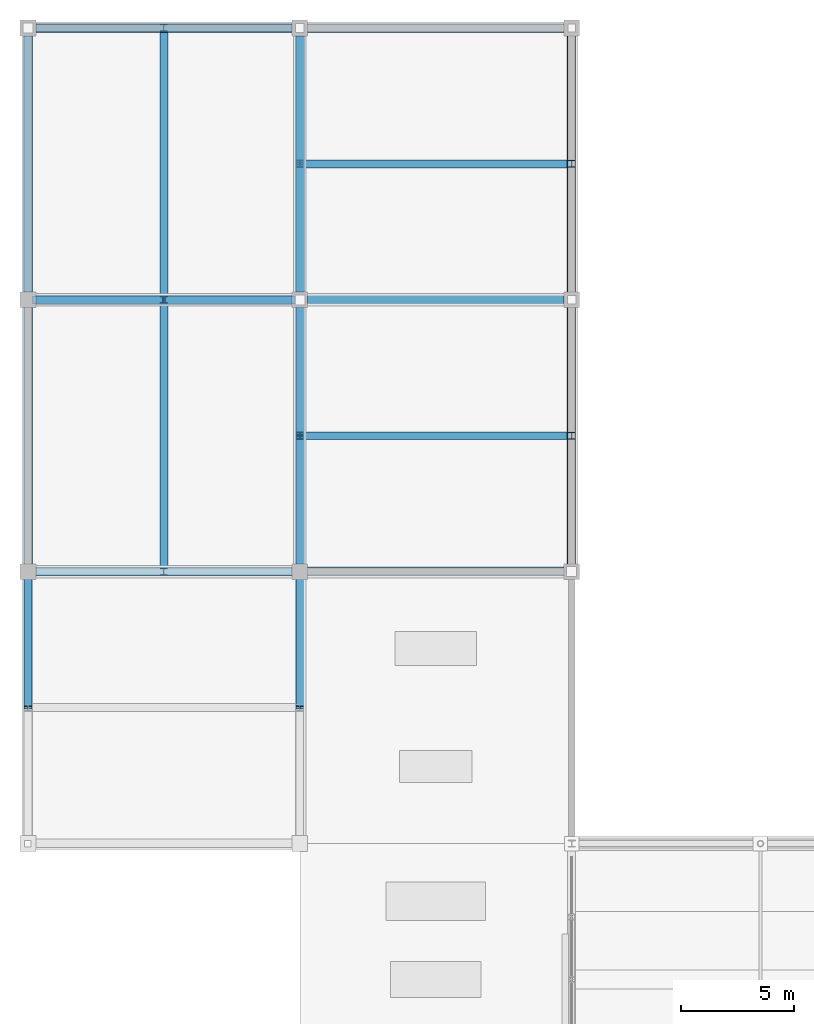
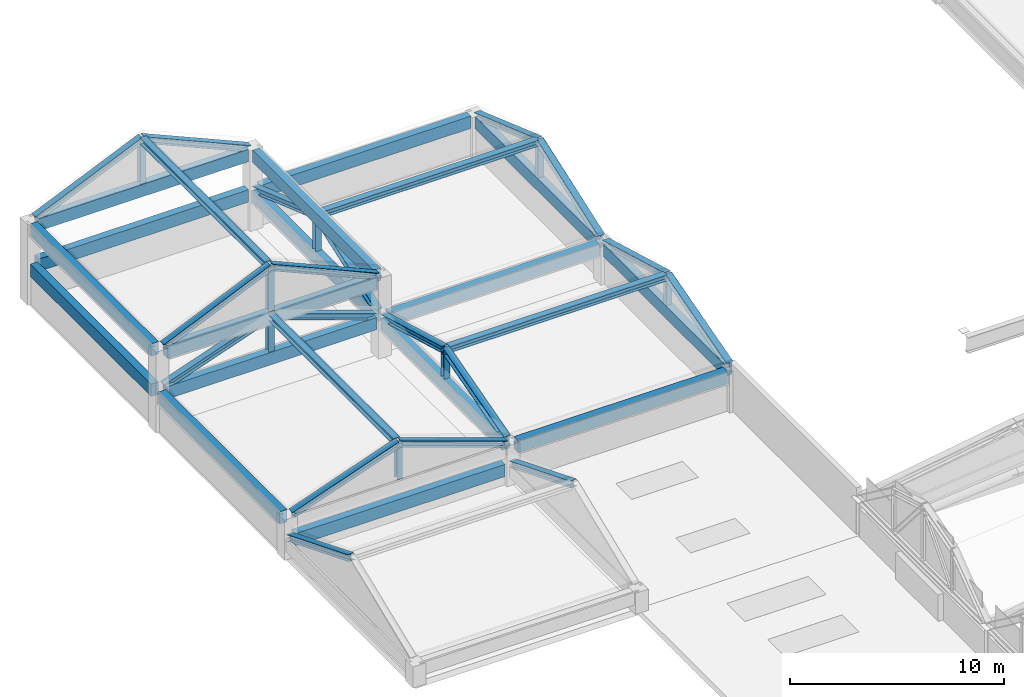
# One storey, part 77 of 117: 30 members, 16 beams.
"""IFC4 building model written with IfcOpenShell, lengths in metres."""

import ifcopenshell
import ifcopenshell.guid

model = None  # the IFC model being written
_history = None  # IfcOwnerHistory: only IFC2X3 demands one
_inside = {}  # id of a spatial element -> (the spatial element, [elements in it])
_under = {}  # id of a project, library or spatial element -> (it, [spatial elements below it])
_declared = {}  # id of a project -> (the project, [libraries it declares])
_typed = {}  # id of a type object -> (the type object, [elements of that type])
_made_of = {}  # id of a material, layer set ... -> (it, [elements and type objects made of it])


def new_model(schema):
    """Start an empty IFC model of exactly this schema.

    Asked for "IFC4X3", IfcOpenShell would pick the latest addendum, in which some entities
    have other attributes; the version numbers below select the first issue.
    IFC2X3 requires an IfcOwnerHistory on every rooted entity: one is made here for all.
    """
    global model, _history
    if schema == "IFC4X3":
        model = ifcopenshell.file(schema_version=(4, 3, 0, 0))
    else:
        model = ifcopenshell.file(schema=schema)
    _inside.clear()
    _under.clear()
    _declared.clear()
    _typed.clear()
    _made_of.clear()
    _history = None
    if model.schema == "IFC2X3":
        org = make("IfcOrganization", Name="unknown")
        user = make(
            "IfcPersonAndOrganization",
            ThePerson=make("IfcPerson", FamilyName="unknown"),
            TheOrganization=org,
        )
        app = make(
            "IfcApplication",
            ApplicationDeveloper=org,
            Version="unknown",
            ApplicationFullName="unknown",
            ApplicationIdentifier="unknown",
        )
        _history = make(
            "IfcOwnerHistory",
            OwningUser=user,
            OwningApplication=app,
            ChangeAction="ADDED",
            CreationDate=0,
        )
    return model


def make(cls, **values):
    """One entity of the class cls with the attributes given. An attribute that is None is left unset."""
    return model.create_entity(
        cls, **{name: value for name, value in values.items() if value is not None}
    )


def rooted(cls, **values):
    """An entity with a GlobalId (a new one), such as an element, a storey or a relation."""
    return make(cls, GlobalId=ifcopenshell.guid.new(), OwnerHistory=_history, **values)


def si_unit(unit_type, name, prefix=None):
    """IfcSIUnit, for example si_unit("LENGTHUNIT", "METRE", prefix="MILLI")."""
    return make("IfcSIUnit", UnitType=unit_type, Prefix=prefix, Name=name)


def assignment(units):
    """IfcUnitAssignment: the units of a project."""
    return None if units is None else make("IfcUnitAssignment", Units=units)


def point(xyz):
    """IfcCartesianPoint."""
    return None if xyz is None else make("IfcCartesianPoint", Coordinates=xyz)


def direction(xyz):
    """IfcDirection."""
    return None if xyz is None else make("IfcDirection", DirectionRatios=xyz)


def frame(location, z_axis=None, x_axis=None):
    """IfcAxis2Placement3D, a coordinate frame: its origin and axes. An axis left out is left unset."""
    return make(
        "IfcAxis2Placement3D",
        Location=point(location),
        Axis=direction(z_axis),
        RefDirection=direction(x_axis),
    )


def frame_2d(location, x_axis=None):
    """IfcAxis2Placement2D, a coordinate frame in the plane: its origin and x axis."""
    return make(
        "IfcAxis2Placement2D", Location=point(location), RefDirection=direction(x_axis)
    )


def origin():
    """The frame at (0, 0, 0) with its axes left unset."""
    return frame((0.0, 0.0, 0.0))


def origin_2d():
    """The frame at (0, 0) in the plane with its x axis left unset."""
    return frame_2d((0.0, 0.0))


def place(relative_to, where):
    """IfcLocalPlacement: puts the frame where relative to a parent placement (None: the world)."""
    return make(
        "IfcLocalPlacement", PlacementRelTo=relative_to, RelativePlacement=where
    )


def context(
    kind, dimensions, precision=None, world=None, true_north=None, identifier=None
):
    """IfcGeometricRepresentationContext, for example the 3D "Model" context."""
    return make(
        "IfcGeometricRepresentationContext",
        ContextIdentifier=identifier,
        ContextType=kind,
        CoordinateSpaceDimension=dimensions,
        Precision=precision,
        WorldCoordinateSystem=world,
        TrueNorth=true_north,
    )


def subcontext(parent, identifier, kind, view, scale=None):
    """IfcGeometricRepresentationSubContext, for example "Body" below "Model"."""
    return make(
        "IfcGeometricRepresentationSubContext",
        ContextIdentifier=identifier,
        ContextType=kind,
        ParentContext=parent,
        TargetScale=scale,
        TargetView=view,
    )


def project(units=None, contexts=None):
    """IfcProject with its units and contexts."""
    return rooted(
        "IfcProject",
        Name="project",
        RepresentationContexts=contexts,
        UnitsInContext=assignment(units),
    )


def spatial(cls, under=None, at=None, **own):
    """A site, building, storey or space (cls), placed at a placement, below another one or the project."""
    s = rooted(cls, ObjectPlacement=at, **own)
    if under is not None:
        _under.setdefault(under.id(), (under, []))[1].append(s)
    return s


def profile(cls, at=None, kind="AREA", **sizes):
    """A parametric profile (cls). Its sizes go by their IFC names, for example OverallWidth=200.0."""
    return make(cls, ProfileType=kind, Position=at, **sizes)


def rectangle(**sizes):
    """IfcRectangleProfileDef."""
    return profile("IfcRectangleProfileDef", **sizes)


def i_section(**sizes):
    """IfcIShapeProfileDef."""
    return profile("IfcIShapeProfileDef", **sizes)


def extrude(swept, where, along, depth):
    """IfcExtrudedAreaSolid: the profile swept, set in the frame where, extruded along a direction by depth."""
    return make(
        "IfcExtrudedAreaSolid",
        SweptArea=swept,
        Position=where,
        ExtrudedDirection=direction(along),
        Depth=depth,
    )


def shape(context_of_items, identifier, shape_type, items):
    """IfcShapeRepresentation: the items that make up one representation, for example the "Body"."""
    return make(
        "IfcShapeRepresentation",
        ContextOfItems=context_of_items,
        RepresentationIdentifier=identifier,
        RepresentationType=shape_type,
        Items=items,
    )


def material(Name=None, Category=None):
    """IfcMaterial."""
    return make("IfcMaterial", Name=Name, Category=Category)


def material_profile(
    of_material, cross_section, Name=None, Category=None, Priority=None
):
    """IfcMaterialProfile: a cross section and its material."""
    return make(
        "IfcMaterialProfile",
        Name=Name,
        Material=of_material,
        Profile=cross_section,
        Priority=Priority,
        Category=Category,
    )


def profile_set(profiles, Name=None, composite=None):
    """IfcMaterialProfileSet."""
    return make(
        "IfcMaterialProfileSet",
        Name=Name,
        MaterialProfiles=profiles,
        CompositeProfile=composite,
    )


def made_of(thing, what):
    """Note that an element or type object is made of a material, layer set ...; save() writes the relation."""
    if what is not None:
        _made_of.setdefault(what.id(), (what, []))[1].append(thing)
    return thing


def type_object(cls, material=None, **own):
    """A type object (cls), such as IfcWallType, which elements share."""
    return made_of(rooted(cls, **own), material)


def element(
    cls,
    number,
    at=None,
    inside=None,
    cuts=None,
    type_object=None,
    material=None,
    context=None,
    identifier="Body",
    shape_type=None,
    held_by="IfcProductDefinitionShape",
    body=None,
    shapes=None,
    **own,
):
    """One element of the class cls, such as IfcWall. Its Tag is "e" and its number.

    at: its placement. inside: the storey or other place that contains it. cuts: it is an
    opening in that element (IfcRelVoidsElement). A single representation is given by context,
    identifier, shape_type and body (its items); several are given by shapes. held_by: the class
    of the entity that holds the representations. save() writes the other relations.
    """
    e = rooted(cls, Tag="e%d" % number, ObjectPlacement=at, **own)
    if body is not None:
        shapes = [shape(context, identifier, shape_type, body)]
    if shapes is not None:
        e.Representation = make(held_by, Representations=shapes)
    if inside is not None:
        _inside.setdefault(inside.id(), (inside, []))[1].append(e)
    if cuts is not None:
        rooted(
            "IfcRelVoidsElement", RelatingBuildingElement=cuts, RelatedOpeningElement=e
        )
    if type_object is not None:
        _typed.setdefault(type_object.id(), (type_object, []))[1].append(e)
    return made_of(e, material)


def aggregate(whole, parts):
    """IfcRelAggregates: a whole, such as a stair, and the parts it consists of."""
    return rooted("IfcRelAggregates", RelatingObject=whole, RelatedObjects=parts)


def save(model, path):
    """Write the relations noted so far, then the file.

    IfcRelAggregates (storeys below a building ...), IfcRelContainedInSpatialStructure (elements
    in a storey), IfcRelDefinesByType, IfcRelAssociatesMaterial and IfcRelDeclares: one each for
    every whole, place, type object, material and project.
    """
    for whole, parts in _under.values():
        aggregate(whole, parts)
    for where, things in _inside.values():
        rooted(
            "IfcRelContainedInSpatialStructure",
            RelatedElements=things,
            RelatingStructure=where,
        )
    for kind, things in _typed.values():
        rooted("IfcRelDefinesByType", RelatedObjects=things, RelatingType=kind)
    for what, things in _made_of.values():
        rooted("IfcRelAssociatesMaterial", RelatedObjects=things, RelatingMaterial=what)
    for by, libraries in _declared.values():
        rooted("IfcRelDeclares", RelatingContext=by, RelatedDefinitions=libraries)
    model.write(path)


model = new_model("IFC4")

# Units and contexts
model_context = context("Model", 3, precision=1e-05, world=origin(), true_north=direction((0.0, 1.0)))
body_context = subcontext(model_context, "Body", "Model", "MODEL_VIEW")
ifc_project = project(units=[si_unit("LENGTHUNIT", "METRE"), si_unit("AREAUNIT", "SQUARE_METRE"), si_unit("VOLUMEUNIT", "CUBIC_METRE"), si_unit("PLANEANGLEUNIT", "RADIAN"), si_unit("MASSUNIT", "GRAM", prefix="KILO")], contexts=[model_context])

# Site, building, storey
site_placement = place(None, origin())
site = spatial("IfcSite", under=ifc_project, at=site_placement, CompositionType="ELEMENT")
building_placement = place(site_placement, origin())
building = spatial("IfcBuilding", under=site, at=building_placement, Name="Kazenohara Klinker Stadium", CompositionType="ELEMENT")
storey_placement = place(building_placement, frame((0.0, 0.0, 31.199951171875)))
storey = spatial("IfcBuildingStorey", under=building, at=storey_placement, Name="RF", CompositionType="ELEMENT", Elevation=31.199951171875)

# Beams
ifc_material_1 = material(Name="Concrete C40/50", Category="concrete")
ifc_material_profile_1 = material_profile(ifc_material_1, rectangle(XDim=0.39990234375, YDim=0.699951171875, at=origin_2d()), Name="RC-BM-400x700")
ifc_profile_set_1 = profile_set([ifc_material_profile_1], Name="Concrete C40/50")
beam_type = type_object("IfcBeamType", Name="BM-RC04", PredefinedType="BEAM", material=ifc_profile_set_1)
for number, where, z_axis, x_axis, name in (
    (1, (0.35009765625, 144.0, 0.85009765625), (1.0, 0.0, 0.0), (0.0, 1.0, 0.0), "Turret crown eave girder BG04 RF X0-12"),
    (2, (0.35009765625, 156.0, 1.949951171875), (1.0, 0.0, 0.0), (0.0, 1.0, 0.0), "Turret crown eave girder BG04 RF X0-13"),
    (3, (0.0, 144.35009765625, 1.949951171875), (0.0, 1.0, 0.0), (-1.0, 0.0, 0.0), "Turret crown eave girder BG04 RF Y0-12"),
    (4, (12.0, 144.35009765625, 1.949951171875), (0.0, 1.0, 0.0), (-1.0, 0.0, 0.0), "Turret crown eave girder BG04 RF Y1-12"),
    (5, (0.35009765625, 168.0, 1.949951171875), (1.0, 0.0, 0.0), (0.0, 1.0, 0.0), "Turret crown eave girder BG04 RF X0-14"),
    (6, (0.0, 156.35009765625, 1.949951171875), (0.0, 1.0, 0.0), (-1.0, 0.0, 0.0), "Turret crown eave girder BG04 RF Y0-13"),
    (7, (12.0, 156.35009765625, 1.949951171875), (0.0, 1.0, 0.0), (-1.0, 0.0, 0.0), "Turret crown eave girder BG04 RF Y1-13"),
    (8, (12.35009765625, 144.0, 1.949951171875), (1.0, 0.0, 0.0), (0.0, 1.0, 0.0), "Turret crown eave girder BG04 RF X1-12"),
    (9, (12.35009765625, 156.0, 1.949951171875), (1.0, 0.0, 0.0), (0.0, 1.0, 0.0), "Turret crown eave girder BG04 RF X1-13"),
    (10, (24.0, 144.35009765625, 1.949951171875), (0.0, 1.0, 0.0), (-1.0, 0.0, 0.0), "Turret crown eave girder BG04 RF Y2-12"),
    (11, (12.35009765625, 168.0, 1.949951171875), (1.0, 0.0, 0.0), (0.0, 1.0, 0.0), "Turret crown eave girder BG04 RF X1-14"),
    (12, (24.0, 156.35009765625, 1.949951171875), (0.0, 1.0, 0.0), (-1.0, 0.0, 0.0), "Turret crown eave girder BG04 RF Y2-13"),
    (13, (0.35009765625, 156.0, 4.25), (1.0, 0.0, 0.0), (0.0, 1.0, 0.0), "Turret crown eave girder BG04 RF X0-13"),
    (14, (0.35009765625, 168.0, 4.25), (1.0, 0.0, 0.0), (0.0, 1.0, 0.0), "Turret crown eave girder BG04 RF X0-14"),
    (15, (0.0, 156.35009765625, 4.25), (0.0, 1.0, 0.0), (-1.0, 0.0, 0.0), "Turret crown eave girder BG04 RF Y0-13"),
    (16, (12.0, 156.35009765625, 4.25), (0.0, 1.0, 0.0), (-1.0, 0.0, 0.0), "Turret crown eave girder BG04 RF Y1-13"),
):
    element("IfcBeam", number, at=place(storey_placement, frame(where, z_axis=z_axis, x_axis=x_axis)), inside=storey, type_object=beam_type, Name=name, PredefinedType="BEAM", context=body_context, shape_type="SweptSolid", body=[
        extrude(rectangle(XDim=0.39990234375, YDim=0.699951171875, at=origin_2d()), origin(), (0.0, 0.0, 1.0), 11.2998046875),
    ])

# Members
ifc_material_2 = material(Name="Steel S355", Category="steel")
ifc_material_profile_2 = material_profile(ifc_material_2, i_section(OverallWidth=0.35009765625, OverallDepth=0.35009765625, WebThickness=0.011962890625, FlangeThickness=0.01904296875, FilletRadius=0.012939453125, at=origin_2d()), Name="H-350x350x12x19")
ifc_profile_set_2 = profile_set([ifc_material_profile_2], Name="Steel S355")
member_type_1 = type_object("IfcMemberType", Name="MEM-CHD02", PredefinedType="CHORD", material=ifc_profile_set_2)
for number, where, z_axis, x_axis, name in (
    (17, (0.25, 156.0, 4.580078125), (0.915900100419, 0.0, 0.401406285518), (0.0, 1.0, 0.0), "Crown gable rafter GT1-NW S West"),
    (18, (11.75, 156.0, 4.580078125), (-0.915900100419, 0.0, 0.401406285518), (0.0, -1.0, 0.0), "Crown gable rafter GT1-NW S East"),
    (19, (0.25, 168.0, 4.580078125), (0.915900100419, 0.0, 0.401406285518), (0.0, 1.0, 0.0), "Crown gable rafter GT1-NW N West"),
    (20, (11.75, 168.0, 4.580078125), (-0.915900100419, 0.0, 0.401406285518), (0.0, -1.0, 0.0), "Crown gable rafter GT1-NW N East"),
):
    element("IfcMember", number, at=place(storey_placement, frame(where, z_axis=z_axis, x_axis=x_axis)), inside=storey, type_object=member_type_1, Name=name, PredefinedType="CHORD", context=body_context, shape_type="SweptSolid", body=[
        extrude(i_section(OverallWidth=0.35009765625, OverallDepth=0.35009765625, WebThickness=0.011962890625, FlangeThickness=0.01904296875, FilletRadius=0.012939453125, at=origin_2d()), origin(), (0.0, 0.0, 1.0), 6.278076171875),
    ])
member_1_placement = place(storey_placement, frame((6.0, 156.14990234375, 7.10009765625), z_axis=(0.0, 1.0, 0.0), x_axis=(-1.0, 0.0, 0.0)))
element("IfcMember", 21, at=member_1_placement, inside=storey, type_object=member_type_1, Name="Crown ridge beam GT1-NW", PredefinedType="CHORD", context=body_context, shape_type="SweptSolid", body=[
    extrude(i_section(OverallWidth=0.35009765625, OverallDepth=0.35009765625, WebThickness=0.011962890625, FlangeThickness=0.01904296875, FilletRadius=0.012939453125, at=origin_2d()), origin(), (0.0, 0.0, 1.0), 11.7001953125),
])
for number, where, z_axis, x_axis, name in (
    (22, (12.0, 156.25, 2.280029296875), (0.0, 0.943473005792, 0.331449373723), (-1.0, 0.0, 0.0), "Crown gable rafter GT1-NE W South"),
    (23, (12.0, 167.75, 2.280029296875), (0.0, -0.943473005792, 0.331449373723), (1.0, 0.0, 0.0), "Crown gable rafter GT1-NE W North"),
    (24, (24.0, 156.25, 2.280029296875), (0.0, 0.943473005792, 0.331449373723), (-1.0, 0.0, 0.0), "Crown gable rafter GT1-NE E South"),
    (25, (24.0, 167.75, 2.280029296875), (0.0, -0.943473005792, 0.331449373723), (1.0, 0.0, 0.0), "Crown gable rafter GT1-NE E North"),
):
    element("IfcMember", number, at=place(storey_placement, frame(where, z_axis=z_axis, x_axis=x_axis)), inside=storey, type_object=member_type_1, Name=name, PredefinedType="CHORD", context=body_context, shape_type="SweptSolid", body=[
        extrude(i_section(OverallWidth=0.35009765625, OverallDepth=0.35009765625, WebThickness=0.011962890625, FlangeThickness=0.01904296875, FilletRadius=0.012939453125, at=origin_2d()), origin(), (0.0, 0.0, 1.0), 6.094482421875),
    ])
member_2_placement = place(storey_placement, frame((12.14990234375, 162.0, 4.300048828125), z_axis=(1.0, 0.0, 0.0), x_axis=(0.0, 1.0, 0.0)))
element("IfcMember", 26, at=member_2_placement, inside=storey, type_object=member_type_1, Name="Crown ridge beam GT1-NE", PredefinedType="CHORD", context=body_context, shape_type="SweptSolid", body=[
    extrude(i_section(OverallWidth=0.35009765625, OverallDepth=0.35009765625, WebThickness=0.011962890625, FlangeThickness=0.01904296875, FilletRadius=0.012939453125, at=origin_2d()), origin(), (0.0, 0.0, 1.0), 11.7001953125),
])
for number, where, z_axis, x_axis, name in (
    (27, (0.25, 144.0, 2.280029296875), (0.943473005792, 0.0, 0.331449373723), (0.0, 1.0, 0.0), "Crown gable rafter GT1-SW S West"),
    (28, (11.75, 144.0, 2.280029296875), (-0.943473005792, 0.0, 0.331449373723), (0.0, -1.0, 0.0), "Crown gable rafter GT1-SW S East"),
    (29, (0.25, 156.0, 2.280029296875), (0.943473005792, 0.0, 0.331449373723), (0.0, 1.0, 0.0), "Crown gable rafter GT1-SW N West"),
    (30, (11.75, 156.0, 2.280029296875), (-0.943473005792, 0.0, 0.331449373723), (0.0, -1.0, 0.0), "Crown gable rafter GT1-SW N East"),
):
    element("IfcMember", number, at=place(storey_placement, frame(where, z_axis=z_axis, x_axis=x_axis)), inside=storey, type_object=member_type_1, Name=name, PredefinedType="CHORD", context=body_context, shape_type="SweptSolid", body=[
        extrude(i_section(OverallWidth=0.35009765625, OverallDepth=0.35009765625, WebThickness=0.011962890625, FlangeThickness=0.01904296875, FilletRadius=0.012939453125, at=origin_2d()), origin(), (0.0, 0.0, 1.0), 6.094482421875),
    ])
member_3_placement = place(storey_placement, frame((6.0, 144.14990234375, 4.300048828125), z_axis=(0.0, 1.0, 0.0), x_axis=(-1.0, 0.0, 0.0)))
element("IfcMember", 31, at=member_3_placement, inside=storey, type_object=member_type_1, Name="Crown ridge beam GT1-SW", PredefinedType="CHORD", context=body_context, shape_type="SweptSolid", body=[
    extrude(i_section(OverallWidth=0.35009765625, OverallDepth=0.35009765625, WebThickness=0.011962890625, FlangeThickness=0.01904296875, FilletRadius=0.012939453125, at=origin_2d()), origin(), (0.0, 0.0, 1.0), 11.7001953125),
])
for number, where, z_axis, x_axis, name in (
    (32, (12.0, 144.25, 2.280029296875), (0.0, 0.962523014063, 0.271200013643), (-1.0, 0.0, 0.0), "Crown gable rafter GT1-SE W South"),
    (33, (12.0, 155.75, 2.280029296875), (0.0, -0.962523014063, 0.271200013643), (1.0, 0.0, 0.0), "Crown gable rafter GT1-SE W North"),
    (34, (24.0, 144.25, 2.280029296875), (0.0, 0.962523014063, 0.271200013643), (-1.0, 0.0, 0.0), "Crown gable rafter GT1-SE E South"),
    (35, (24.0, 155.75, 2.280029296875), (0.0, -0.962523014063, 0.271200013643), (1.0, 0.0, 0.0), "Crown gable rafter GT1-SE E North"),
):
    element("IfcMember", number, at=place(storey_placement, frame(where, z_axis=z_axis, x_axis=x_axis)), inside=storey, type_object=member_type_1, Name=name, PredefinedType="CHORD", context=body_context, shape_type="SweptSolid", body=[
        extrude(i_section(OverallWidth=0.35009765625, OverallDepth=0.35009765625, WebThickness=0.011962890625, FlangeThickness=0.01904296875, FilletRadius=0.012939453125, at=origin_2d()), origin(), (0.0, 0.0, 1.0), 5.973876953125),
    ])
member_4_placement = place(storey_placement, frame((12.14990234375, 150.0, 3.900146484375), z_axis=(1.0, 0.0, 0.0), x_axis=(0.0, 1.0, 0.0)))
element("IfcMember", 36, at=member_4_placement, inside=storey, type_object=member_type_1, Name="Crown ridge beam GT1-SE", PredefinedType="CHORD", context=body_context, shape_type="SweptSolid", body=[
    extrude(i_section(OverallWidth=0.35009765625, OverallDepth=0.35009765625, WebThickness=0.011962890625, FlangeThickness=0.01904296875, FilletRadius=0.012939453125, at=origin_2d()), origin(), (0.0, 0.0, 1.0), 11.7001953125),
])
for number, where, z_axis, x_axis, name in (
    (37, (0.0, 143.75, 1.179931640625), (0.0, -0.927356425175, 0.374179182593), (1.0, 0.0, 0.0), "Crown gable rafter WBST-11 W North"),
    (38, (12.0, 143.75, 1.179931640625), (0.0, -0.927356425175, 0.374179182593), (1.0, 0.0, 0.0), "Crown gable rafter WBST-11 E North"),
):
    element("IfcMember", number, at=place(storey_placement, frame(where, z_axis=z_axis, x_axis=x_axis)), inside=storey, type_object=member_type_1, Name=name, PredefinedType="CHORD", context=body_context, shape_type="SweptSolid", body=[
        extrude(i_section(OverallWidth=0.35009765625, OverallDepth=0.35009765625, WebThickness=0.011962890625, FlangeThickness=0.01904296875, FilletRadius=0.012939453125, at=origin_2d()), origin(), (0.0, 0.0, 1.0), 6.200439453125),
    ])
ifc_material_profile_3 = material_profile(ifc_material_2, i_section(OverallWidth=0.300048828125, OverallDepth=0.300048828125, WebThickness=0.010009765625, FlangeThickness=0.014892578125, FilletRadius=0.012939453125, at=origin_2d()), Name="H-300x300x10x15")
ifc_profile_set_3 = profile_set([ifc_material_profile_3], Name="Steel S355")
member_type_2 = type_object("IfcMemberType", Name="MEM-STR01", PredefinedType="STRUT", material=ifc_profile_set_3)
for number, where, z_axis, x_axis, name in (
    (39, (6.0, 156.0, 4.580078125), (0.0, 0.0, 1.0), (1.0, 0.0, 0.0), "Crown gable king-post GT1-NW S"),
    (40, (6.0, 168.0, 4.580078125), (0.0, 0.0, 1.0), (1.0, 0.0, 0.0), "Crown gable king-post GT1-NW N"),
):
    element("IfcMember", number, at=place(storey_placement, frame(where, z_axis=z_axis, x_axis=x_axis)), inside=storey, type_object=member_type_2, Name=name, PredefinedType="STRUT", context=body_context, shape_type="SweptSolid", body=[
        extrude(i_section(OverallWidth=0.300048828125, OverallDepth=0.300048828125, WebThickness=0.010009765625, FlangeThickness=0.014892578125, FilletRadius=0.012939453125, at=origin_2d()), origin(), (0.0, 0.0, 1.0), 2.52001953125),
    ])
for number, where, z_axis, x_axis, name in (
    (41, (12.0, 162.0, 2.280029296875), (0.0, 0.0, 1.0), (1.0, 0.0, 0.0), "Crown gable king-post GT1-NE W"),
    (42, (24.0, 162.0, 2.280029296875), (0.0, 0.0, 1.0), (1.0, 0.0, 0.0), "Crown gable king-post GT1-NE E"),
    (43, (6.0, 144.0, 2.280029296875), (0.0, 0.0, 1.0), (1.0, 0.0, 0.0), "Crown gable king-post GT1-SW S"),
    (44, (6.0, 156.0, 2.280029296875), (0.0, 0.0, 1.0), (1.0, 0.0, 0.0), "Crown gable king-post GT1-SW N"),
):
    element("IfcMember", number, at=place(storey_placement, frame(where, z_axis=z_axis, x_axis=x_axis)), inside=storey, type_object=member_type_2, Name=name, PredefinedType="STRUT", context=body_context, shape_type="SweptSolid", body=[
        extrude(i_section(OverallWidth=0.300048828125, OverallDepth=0.300048828125, WebThickness=0.010009765625, FlangeThickness=0.014892578125, FilletRadius=0.012939453125, at=origin_2d()), origin(), (0.0, 0.0, 1.0), 2.02001953125),
    ])
for number, where, z_axis, x_axis, name in (
    (45, (12.0, 150.0, 2.280029296875), (0.0, 0.0, 1.0), (1.0, 0.0, 0.0), "Crown gable king-post GT1-SE W"),
    (46, (24.0, 150.0, 2.280029296875), (0.0, 0.0, 1.0), (1.0, 0.0, 0.0), "Crown gable king-post GT1-SE E"),
):
    element("IfcMember", number, at=place(storey_placement, frame(where, z_axis=z_axis, x_axis=x_axis)), inside=storey, type_object=member_type_2, Name=name, PredefinedType="STRUT", context=body_context, shape_type="SweptSolid", body=[
        extrude(i_section(OverallWidth=0.300048828125, OverallDepth=0.300048828125, WebThickness=0.010009765625, FlangeThickness=0.014892578125, FilletRadius=0.012939453125, at=origin_2d()), origin(), (0.0, 0.0, 1.0), 1.6201171875),
    ])

save(model, "model.ifc")
